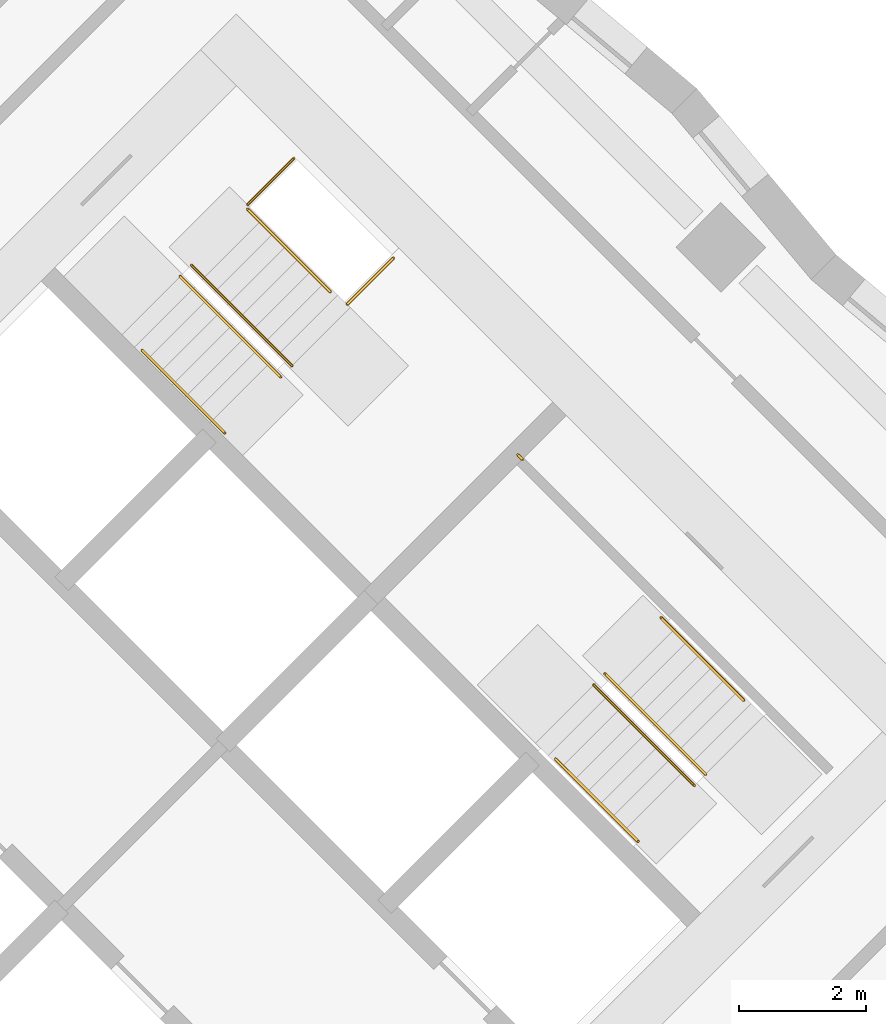
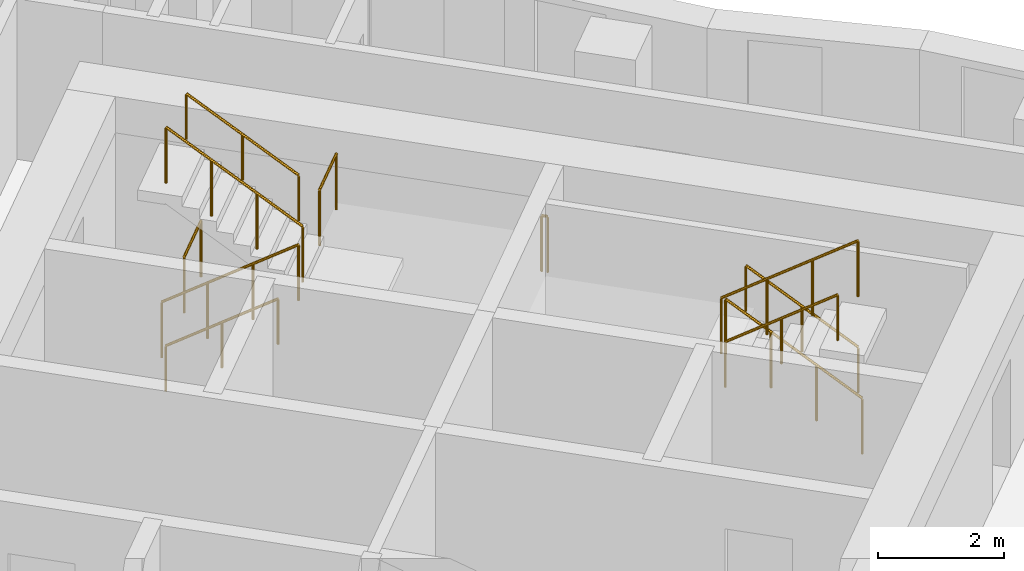
# One storey, part 12 of 12: 11 railings.
"""IFC4 building model written with IfcOpenShell, lengths in metres."""

from ifc_helpers import new_model, si_unit, direction, frame, origin, origin_2d, place, context, subcontext, project, spatial, circle, extrude, material, type_object, element, save


model = new_model("IFC4")

# Units and contexts
model_context = context("Model", 3, precision=1e-05, world=origin(), true_north=direction((0.0, 1.0)))
body_context = subcontext(model_context, "Body", "Model", "MODEL_VIEW")
ifc_project = project(units=[si_unit("LENGTHUNIT", "METRE"), si_unit("AREAUNIT", "SQUARE_METRE"), si_unit("VOLUMEUNIT", "CUBIC_METRE"), si_unit("PLANEANGLEUNIT", "RADIAN"), si_unit("MASSUNIT", "GRAM", prefix="KILO")], contexts=[model_context])

# Site, building, storey
site_placement = place(None, origin())
site = spatial("IfcSite", under=ifc_project, at=site_placement, CompositionType="ELEMENT")
building_placement = place(site_placement, origin())
building = spatial("IfcBuilding", under=site, at=building_placement, Name="Windrow Commons", CompositionType="ELEMENT")
storey_placement = place(building_placement, frame((0.0, 0.0, 81.2)))
storey = spatial("IfcBuildingStorey", under=building, at=storey_placement, Name="L21", CompositionType="ELEMENT", Elevation=81.2)

# Railings
ifc_material_1 = material(Name="Steel S355", Category="steel")
railing_type_1 = type_object("IfcRailingType", Name="Core stair guard 1100", PredefinedType="GUARDRAIL", material=ifc_material_1)
railing_1_placement = place(storey_placement, frame((85.9529, 56.2669, 0.1889)))
element("IfcRailing", 1, at=railing_1_placement, inside=storey, type_object=railing_type_1, Name="L21 ST-B1 stair guard 1", PredefinedType="GUARDRAIL", context=body_context, shape_type="SweptSolid", body=[
    extrude(circle(Radius=0.024, at=origin_2d()), frame((0.0, 0.0, 1.076), z_axis=(0.5861914914, -0.5861914914, 0.5592486664), x_axis=(0.7071067812, 0.7071067812, 0.0)), (0.0, 0.0, 1.0), 2.702),
    extrude(circle(Radius=0.021, at=origin_2d()), origin(), (0.0, 0.0, 1.0), 1.052),
    extrude(circle(Radius=0.021, at=origin_2d()), frame((0.528, -0.528, 0.5037)), (0.0, 0.0, 1.0), 1.052),
    extrude(circle(Radius=0.021, at=origin_2d()), frame((1.0559, -1.0559, 1.0074)), (0.0, 0.0, 1.0), 1.052),
    extrude(circle(Radius=0.021, at=origin_2d()), frame((1.5839, -1.5839, 1.5111)), (0.0, 0.0, 1.0), 1.052),
])
railing_2_placement = place(storey_placement, frame((87.7136, 54.8597, 1.8889)))
element("IfcRailing", 2, at=railing_2_placement, inside=storey, type_object=railing_type_1, Name="L21 ST-B1 stair guard 2", PredefinedType="GUARDRAIL", context=body_context, shape_type="SweptSolid", body=[
    extrude(circle(Radius=0.024, at=origin_2d()), frame((0.0, 0.0, 1.076), z_axis=(-0.5862030657, 0.5862030657, 0.5592244018), x_axis=(-0.7071067812, -0.7071067812, 0.0)), (0.0, 0.0, 1.0), 2.7021),
    extrude(circle(Radius=0.021, at=origin_2d()), origin(), (0.0, 0.0, 1.0), 1.052),
    extrude(circle(Radius=0.021, at=origin_2d()), frame((-0.528, 0.528, 0.5037)), (0.0, 0.0, 1.0), 1.052),
    extrude(circle(Radius=0.021, at=origin_2d()), frame((-1.056, 1.056, 1.0074)), (0.0, 0.0, 1.0), 1.052),
    extrude(circle(Radius=0.021, at=origin_2d()), frame((-1.584, 1.584, 1.5111)), (0.0, 0.0, 1.0), 1.052),
])
railing_3_placement = place(storey_placement, frame((87.0135, 57.3982, 0.0)))
element("IfcRailing", 3, at=railing_3_placement, inside=storey, type_object=railing_type_1, Name="L21 ST-B1 stair guard 3", PredefinedType="GUARDRAIL", context=body_context, shape_type="SweptSolid", body=[
    extrude(circle(Radius=0.024, at=origin_2d()), frame((0.0, 0.0, 1.076), z_axis=(0.7070582378, 0.7071553212, 0.0), x_axis=(-0.7071553212, 0.7070582378, 0.0)), (0.0, 0.0, 1.0), 1.03),
    extrude(circle(Radius=0.021, at=origin_2d()), origin(), (0.0, 0.0, 1.0), 1.052),
    extrude(circle(Radius=0.021, at=origin_2d()), frame((0.7283, 0.7284, 0.0)), (0.0, 0.0, 1.0), 1.052),
])
railing_4_placement = place(storey_placement, frame((88.5833, 55.8285, 1.7)))
element("IfcRailing", 4, at=railing_4_placement, inside=storey, type_object=railing_type_1, Name="L21 ST-B1 stair guard 4", PredefinedType="GUARDRAIL", context=body_context, shape_type="SweptSolid", body=[
    extrude(circle(Radius=0.024, at=origin_2d()), frame((0.0, 0.0, 1.076), z_axis=(0.7071067812, 0.7071067812, 0.0), x_axis=(-0.7071067812, 0.7071067812, 0.0)), (0.0, 0.0, 1.0), 1.03),
    extrude(circle(Radius=0.021, at=origin_2d()), origin(), (0.0, 0.0, 1.0), 1.052),
    extrude(circle(Radius=0.021, at=origin_2d()), frame((0.7283, 0.7283, 0.0)), (0.0, 0.0, 1.0), 1.052),
])
railing_5_placement = place(storey_placement, frame((94.2296, 48.4215, 0.1889)))
element("IfcRailing", 5, at=railing_5_placement, inside=storey, type_object=railing_type_1, Name="L21 ST-B2 stair guard 1", PredefinedType="GUARDRAIL", context=body_context, shape_type="SweptSolid", body=[
    extrude(circle(Radius=0.024, at=origin_2d()), frame((0.0, 0.0, 1.076), z_axis=(-0.5862157828, 0.5861787742, 0.5592365337), x_axis=(-0.7070844598, -0.7071291018, 0.0)), (0.0, 0.0, 1.0), 2.7021),
    extrude(circle(Radius=0.021, at=origin_2d()), origin(), (0.0, 0.0, 1.0), 1.052),
    extrude(circle(Radius=0.021, at=origin_2d()), frame((-0.528, 0.528, 0.5037)), (0.0, 0.0, 1.0), 1.052),
    extrude(circle(Radius=0.021, at=origin_2d()), frame((-1.056, 1.0559, 1.0074)), (0.0, 0.0, 1.0), 1.052),
    extrude(circle(Radius=0.021, at=origin_2d()), frame((-1.584, 1.5839, 1.5111)), (0.0, 0.0, 1.0), 1.052),
])
railing_6_placement = place(storey_placement, frame((92.4689, 49.8287, 1.8889)))
element("IfcRailing", 6, at=railing_6_placement, inside=storey, type_object=railing_type_1, Name="L21 ST-B2 stair guard 2", PredefinedType="GUARDRAIL", context=body_context, shape_type="SweptSolid", body=[
    extrude(circle(Radius=0.024, at=origin_2d()), frame((0.0, 0.0, 1.076), z_axis=(0.5861787742, -0.5862157828, 0.5592365337), x_axis=(0.7071291018, 0.7070844598, 0.0)), (0.0, 0.0, 1.0), 2.7021),
    extrude(circle(Radius=0.021, at=origin_2d()), origin(), (0.0, 0.0, 1.0), 1.052),
    extrude(circle(Radius=0.021, at=origin_2d()), frame((0.528, -0.528, 0.5037)), (0.0, 0.0, 1.0), 1.052),
    extrude(circle(Radius=0.021, at=origin_2d()), frame((1.0559, -1.056, 1.0074)), (0.0, 0.0, 1.0), 1.052),
    extrude(circle(Radius=0.021, at=origin_2d()), frame((1.5839, -1.584, 1.5111)), (0.0, 0.0, 1.0), 1.052),
])
railing_7_placement = place(storey_placement, frame((91.3446, 53.3854, 1.7)))
element("IfcRailing", 7, at=railing_7_placement, inside=storey, type_object=railing_type_1, Name="L21 ST-B2 stair guard 3", PredefinedType="GUARDRAIL", context=body_context, shape_type="SweptSolid", body=[
    extrude(circle(Radius=0.024, at=origin_2d()), frame((0.0, 0.0, 1.076), z_axis=(-0.7076063266, 0.7066068826, 0.0), x_axis=(-0.7066068826, -0.7076063266, 0.0)), (0.0, 0.0, 1.0), 0.1001),
    extrude(circle(Radius=0.021, at=origin_2d()), origin(), (0.0, 0.0, 1.0), 1.052),
    extrude(circle(Radius=0.021, at=origin_2d()), frame((-0.0708, 0.0707, 0.0)), (0.0, 0.0, 1.0), 1.052),
])
ifc_material_2 = material(Name="Steel S355", Category="steel")
railing_type_2 = type_object("IfcRailingType", Name="Core stair handrail 900", PredefinedType="HANDRAIL", material=ifc_material_2)
railing_8_placement = place(storey_placement, frame((85.3518, 55.1001, 0.4587)))
element("IfcRailing", 8, at=railing_8_placement, inside=storey, type_object=railing_type_2, Name="L21 ST-B1 stair handrail 1", PredefinedType="HANDRAIL", context=body_context, shape_type="SweptSolid", body=[
    extrude(circle(Radius=0.024, at=origin_2d()), frame((0.0, 0.0, 0.876), z_axis=(0.586206706, -0.5861616513, 0.5592639952), x_axis=(0.7070796062, 0.7071339551, 0.0)), (0.0, 0.0, 1.0), 2.2195),
    extrude(circle(Radius=0.021, at=origin_2d()), origin(), (0.0, 0.0, 1.0), 0.852),
    extrude(circle(Radius=0.021, at=origin_2d()), frame((0.6506, -0.6505, 0.6207)), (0.0, 0.0, 1.0), 0.852),
    extrude(circle(Radius=0.021, at=origin_2d()), frame((1.3011, -1.301, 1.2413)), (0.0, 0.0, 1.0), 0.852),
])
railing_9_placement = place(storey_placement, frame((88.3146, 56.0265, 2.1587)))
element("IfcRailing", 9, at=railing_9_placement, inside=storey, type_object=railing_type_2, Name="L21 ST-B1 stair handrail 2", PredefinedType="HANDRAIL", context=body_context, shape_type="SweptSolid", body=[
    extrude(circle(Radius=0.024, at=origin_2d()), frame((0.0, 0.0, 0.876), z_axis=(-0.586206706, 0.5861616513, 0.5592639952), x_axis=(-0.7070796062, -0.7071339551, 0.0)), (0.0, 0.0, 1.0), 2.2195),
    extrude(circle(Radius=0.021, at=origin_2d()), origin(), (0.0, 0.0, 1.0), 0.852),
    extrude(circle(Radius=0.021, at=origin_2d()), frame((-0.6506, 0.6505, 0.6206)), (0.0, 0.0, 1.0), 0.852),
    extrude(circle(Radius=0.021, at=origin_2d()), frame((-1.3011, 1.301, 1.2413)), (0.0, 0.0, 1.0), 0.852),
])
railing_10_placement = place(storey_placement, frame((94.8306, 49.5883, 0.4587)))
element("IfcRailing", 10, at=railing_10_placement, inside=storey, type_object=railing_type_2, Name="L21 ST-B2 stair handrail 1", PredefinedType="HANDRAIL", context=body_context, shape_type="SweptSolid", body=[
    extrude(circle(Radius=0.024, at=origin_2d()), frame((0.0, 0.0, 0.876), z_axis=(-0.586206706, 0.5861616513, 0.5592639952), x_axis=(-0.7070796062, -0.7071339551, 0.0)), (0.0, 0.0, 1.0), 2.2195),
    extrude(circle(Radius=0.021, at=origin_2d()), origin(), (0.0, 0.0, 1.0), 0.852),
    extrude(circle(Radius=0.021, at=origin_2d()), frame((-0.6506, 0.6505, 0.6207)), (0.0, 0.0, 1.0), 0.852),
    extrude(circle(Radius=0.021, at=origin_2d()), frame((-1.3011, 1.301, 1.2413)), (0.0, 0.0, 1.0), 0.852),
])
railing_11_placement = place(storey_placement, frame((91.8678, 48.6619, 2.1587)))
element("IfcRailing", 11, at=railing_11_placement, inside=storey, type_object=railing_type_2, Name="L21 ST-B2 stair handrail 2", PredefinedType="HANDRAIL", context=body_context, shape_type="SweptSolid", body=[
    extrude(circle(Radius=0.024, at=origin_2d()), frame((0.0, 0.0, 0.876), z_axis=(0.586206706, -0.5861616513, 0.5592639952), x_axis=(0.7070796062, 0.7071339551, 0.0)), (0.0, 0.0, 1.0), 2.2195),
    extrude(circle(Radius=0.021, at=origin_2d()), origin(), (0.0, 0.0, 1.0), 0.852),
    extrude(circle(Radius=0.021, at=origin_2d()), frame((0.6505, -0.6505, 0.6206)), (0.0, 0.0, 1.0), 0.852),
    extrude(circle(Radius=0.021, at=origin_2d()), frame((1.3011, -1.301, 1.2413)), (0.0, 0.0, 1.0), 0.852),
])

save(model, "model.ifc")
